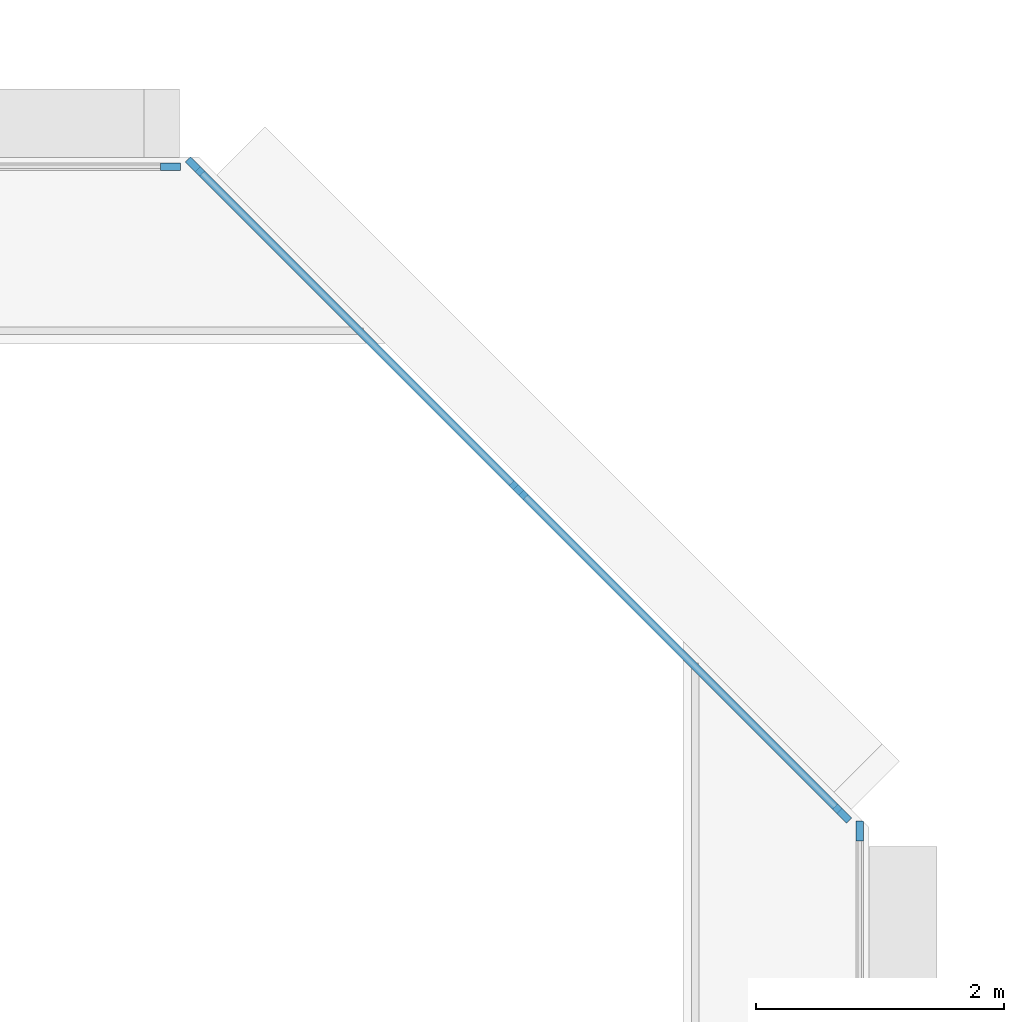
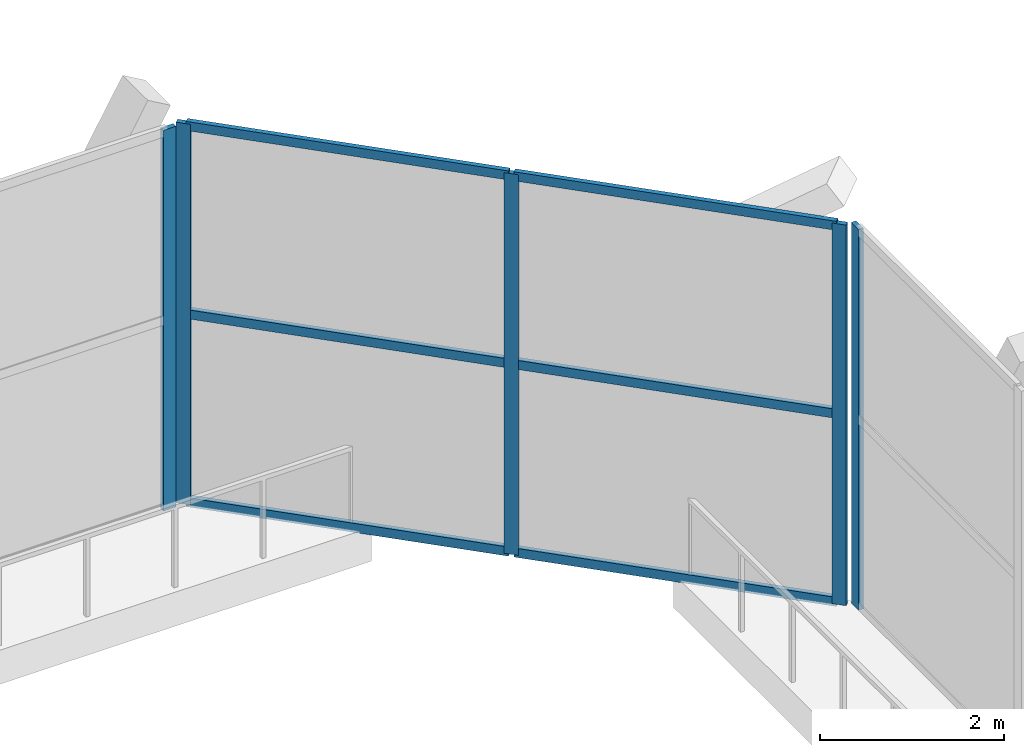
# One storey, part 4 of 15: 11 members, 3 elements without a shape of their own.
"""IFC4 building model written with IfcOpenShell, lengths in metres."""

from ifc_helpers import new_model, si_unit, direction, frame, origin, origin_2d, place, context, subcontext, project, spatial, rectangle, extrude, material, layer, layer_set, material_profile, profile_set, type_object, element, aggregate, save


model = new_model("IFC4")

# Units and contexts
model_context = context("Model", 3, precision=1e-05, world=origin(), true_north=direction((0.0, 1.0)))
body_context = subcontext(model_context, "Body", "Model", "MODEL_VIEW")
ifc_project = project(units=[si_unit("LENGTHUNIT", "METRE"), si_unit("AREAUNIT", "SQUARE_METRE"), si_unit("VOLUMEUNIT", "CUBIC_METRE"), si_unit("PLANEANGLEUNIT", "RADIAN"), si_unit("MASSUNIT", "GRAM", prefix="KILO")], contexts=[model_context])

# Site, building, storey
site_placement = place(None, origin())
site = spatial("IfcSite", under=ifc_project, at=site_placement, CompositionType="ELEMENT")
building_placement = place(site_placement, origin())
building = spatial("IfcBuilding", under=site, at=building_placement, Name="Chenar Terraces", CompositionType="ELEMENT")
storey_placement = place(building_placement, frame((0.0, 0.0, 140.64990234375)))
storey = spatial("IfcBuildingStorey", under=building, at=storey_placement, Name="L33", CompositionType="ELEMENT", Elevation=140.64990234375)

# Curtain wall, member
ifc_material_1 = material(Name="Aluminium framed glazing", Category="aluminium")
ifc_layer = layer(ifc_material_1, 0.14990234375)
ifc_layer_set = layer_set([ifc_layer], Name="Aluminium framed glazing")
curtain_wall_type = type_object("IfcCurtainWallType", Name="Atrium curtain wall", PredefinedType="NOTDEFINED", material=ifc_layer_set)
placement = place(storey_placement, origin())
curtain_wall_1 = element("IfcCurtainWall", 1, at=placement, inside=storey, type_object=curtain_wall_type, Name="Atrium curtain wall", PredefinedType="NOTDEFINED")
ifc_material_2 = material(Name="Aluminium", Category="aluminium")
ifc_material_profile_1 = material_profile(ifc_material_2, rectangle(XDim=0.06005859375, YDim=0.159912109375, at=origin_2d()), Name="Atrium glazing mullion 60 x 160")
ifc_profile_set_1 = profile_set([ifc_material_profile_1], Name="Aluminium")
member_type_1 = type_object("IfcMemberType", Name="Atrium glazing mullion 60 x 160", PredefinedType="MULLION", material=ifc_profile_set_1)
member_1_placement = place(storey_placement, frame((37.425048828125, 32.070068359375, 0.0), z_axis=(0.0, 0.0, 1.0), x_axis=(-1.0, 0.0, 0.0)))
member_1 = element("IfcMember", 2, at=member_1_placement, type_object=member_type_1, Name="CW1-1 mullion 2", PredefinedType="MULLION", context=body_context, shape_type="SweptSolid", body=[
    extrude(rectangle(XDim=0.06005859375, YDim=0.159912109375, at=origin_2d()), origin(), (0.0, 0.0, 1.0), 5.050048828125),
])
aggregate(curtain_wall_1, [member_1])

# Curtain wall, members
curtain_wall_2 = element("IfcCurtainWall", 3, at=placement, inside=storey, type_object=curtain_wall_type, Name="Atrium curtain wall", PredefinedType="NOTDEFINED")
member_2_placement = place(storey_placement, frame((37.284423828125, 32.209716796875, 0.0), z_axis=(0.0, 0.0, 1.0), x_axis=(-0.707106781187, -0.707106781187, 0.0)))
member_2 = element("IfcMember", 4, at=member_2_placement, type_object=member_type_1, Name="CW1-2 mullion 1", PredefinedType="MULLION", context=body_context, shape_type="SweptSolid", body=[
    extrude(rectangle(XDim=0.06005859375, YDim=0.159912109375, at=origin_2d()), origin(), (0.0, 0.0, 1.0), 5.050048828125),
])
member_3_placement = place(storey_placement, frame((34.67626953125, 34.817626953125, 0.0), z_axis=(0.0, 0.0, 1.0), x_axis=(-0.707106781187, -0.707106781187, 0.0)))
member_3 = element("IfcMember", 5, at=member_3_placement, type_object=member_type_1, Name="CW1-2 mullion 2", PredefinedType="MULLION", context=body_context, shape_type="SweptSolid", body=[
    extrude(rectangle(XDim=0.06005859375, YDim=0.159912109375, at=origin_2d()), origin(), (0.0, 0.0, 1.0), 5.050048828125),
])
member_4_placement = place(storey_placement, frame((32.068115234375, 37.42578125, 0.0), z_axis=(0.0, 0.0, 1.0), x_axis=(-0.707106781187, -0.707106781187, 0.0)))
member_4 = element("IfcMember", 6, at=member_4_placement, type_object=member_type_1, Name="CW1-2 mullion 3", PredefinedType="MULLION", context=body_context, shape_type="SweptSolid", body=[
    extrude(rectangle(XDim=0.06005859375, YDim=0.159912109375, at=origin_2d()), origin(), (0.0, 0.0, 1.0), 5.050048828125),
])

# Curtain wall, member
curtain_wall_3 = element("IfcCurtainWall", 7, at=placement, inside=storey, type_object=curtain_wall_type, Name="Atrium curtain wall", PredefinedType="NOTDEFINED")
member_5_placement = place(storey_placement, frame((31.8701171875, 37.425048828125, 0.0), z_axis=(0.0, 0.0, 1.0), x_axis=(0.0, -1.0, 0.0)))
member_5 = element("IfcMember", 8, at=member_5_placement, type_object=member_type_1, Name="CW1-3 mullion 1", PredefinedType="MULLION", context=body_context, shape_type="SweptSolid", body=[
    extrude(rectangle(XDim=0.06005859375, YDim=0.159912109375, at=origin_2d()), origin(), (0.0, 0.0, 1.0), 5.050048828125),
])
aggregate(curtain_wall_3, [member_5])

# Member
ifc_material_3 = material(Name="Aluminium", Category="aluminium")
ifc_material_profile_2 = material_profile(ifc_material_3, rectangle(XDim=0.06005859375, YDim=0.1201171875, at=origin_2d()), Name="Atrium glazing transom 60 x 120")
ifc_profile_set_2 = profile_set([ifc_material_profile_2], Name="Aluminium")
member_type_2 = type_object("IfcMemberType", Name="Atrium glazing transom 60 x 120", PredefinedType="USERDEFINED", material=ifc_profile_set_2)
member_6_placement = place(storey_placement, frame((37.26318359375, 32.230712890625, 0.030029296875), z_axis=(-0.707106781187, 0.707106781187, 0.0), x_axis=(-0.707106781187, -0.707106781187, 0.0)))
member_6 = element("IfcMember", 9, at=member_6_placement, type_object=member_type_2, Name="CW1-2 transom 1.1", ObjectType="TRANSOM", PredefinedType="USERDEFINED", context=body_context, shape_type="SweptSolid", body=[
    extrude(rectangle(XDim=0.06005859375, YDim=0.1201171875, at=origin_2d()), origin(), (0.0, 0.0, 1.0), 3.62841796875),
])

member_7_placement = place(storey_placement, frame((37.26318359375, 32.230712890625, 2.525146484375), z_axis=(-0.707106781187, 0.707106781187, 0.0), x_axis=(-0.707106781187, -0.707106781187, 0.0)))
member_7 = element("IfcMember", 10, at=member_7_placement, type_object=member_type_2, Name="CW1-2 transom 1.2", ObjectType="TRANSOM", PredefinedType="USERDEFINED", context=body_context, shape_type="SweptSolid", body=[
    extrude(rectangle(XDim=0.06005859375, YDim=0.1201171875, at=origin_2d()), origin(), (0.0, 0.0, 1.0), 3.62841796875),
])

member_8_placement = place(storey_placement, frame((37.26318359375, 32.230712890625, 5.02001953125), z_axis=(-0.707106781187, 0.707106781187, 0.0), x_axis=(-0.707106781187, -0.707106781187, 0.0)))
member_8 = element("IfcMember", 11, at=member_8_placement, type_object=member_type_2, Name="CW1-2 transom 1.3", ObjectType="TRANSOM", PredefinedType="USERDEFINED", context=body_context, shape_type="SweptSolid", body=[
    extrude(rectangle(XDim=0.06005859375, YDim=0.1201171875, at=origin_2d()), origin(), (0.0, 0.0, 1.0), 3.62841796875),
])

member_9_placement = place(storey_placement, frame((34.655029296875, 34.8388671875, 0.030029296875), z_axis=(-0.707106781187, 0.707106781187, 0.0), x_axis=(-0.707106781187, -0.707106781187, 0.0)))
member_9 = element("IfcMember", 12, at=member_9_placement, type_object=member_type_2, Name="CW1-2 transom 2.1", ObjectType="TRANSOM", PredefinedType="USERDEFINED", context=body_context, shape_type="SweptSolid", body=[
    extrude(rectangle(XDim=0.06005859375, YDim=0.1201171875, at=origin_2d()), origin(), (0.0, 0.0, 1.0), 3.62841796875),
])

member_10_placement = place(storey_placement, frame((34.655029296875, 34.8388671875, 2.525146484375), z_axis=(-0.707106781187, 0.707106781187, 0.0), x_axis=(-0.707106781187, -0.707106781187, 0.0)))
member_10 = element("IfcMember", 13, at=member_10_placement, type_object=member_type_2, Name="CW1-2 transom 2.2", ObjectType="TRANSOM", PredefinedType="USERDEFINED", context=body_context, shape_type="SweptSolid", body=[
    extrude(rectangle(XDim=0.06005859375, YDim=0.1201171875, at=origin_2d()), origin(), (0.0, 0.0, 1.0), 3.62841796875),
])

member_11_placement = place(storey_placement, frame((34.655029296875, 34.8388671875, 5.02001953125), z_axis=(-0.707106781187, 0.707106781187, 0.0), x_axis=(-0.707106781187, -0.707106781187, 0.0)))
member_11 = element("IfcMember", 14, at=member_11_placement, type_object=member_type_2, Name="CW1-2 transom 2.3", ObjectType="TRANSOM", PredefinedType="USERDEFINED", context=body_context, shape_type="SweptSolid", body=[
    extrude(rectangle(XDim=0.06005859375, YDim=0.1201171875, at=origin_2d()), origin(), (0.0, 0.0, 1.0), 3.62841796875),
])

aggregate(curtain_wall_2, [member_2, member_3, member_4, member_6, member_7, member_8, member_9, member_10, member_11])

save(model, "model.ifc")
